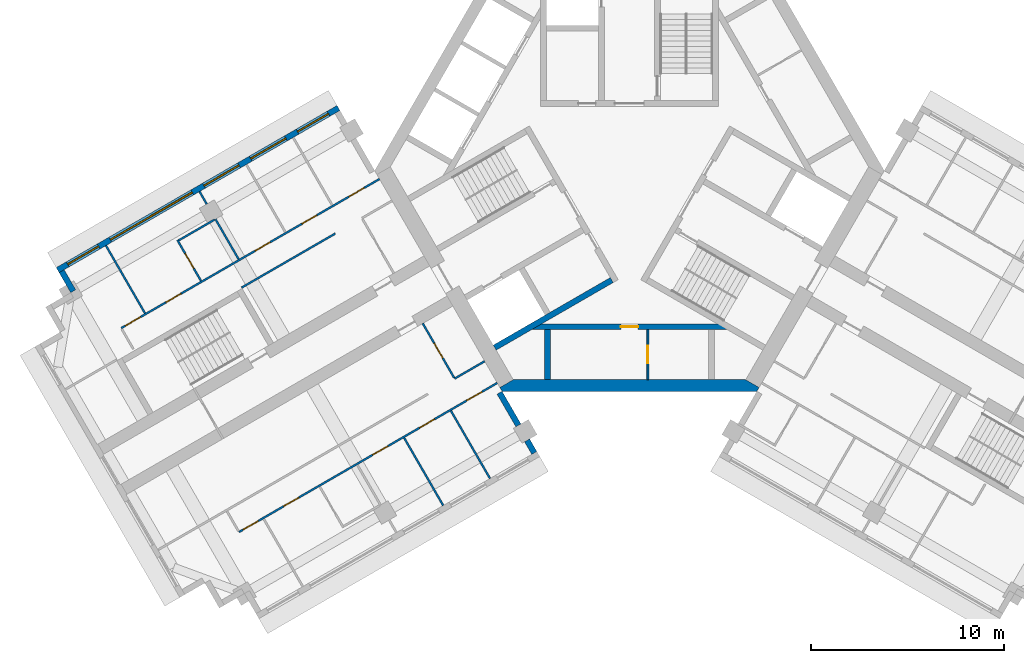
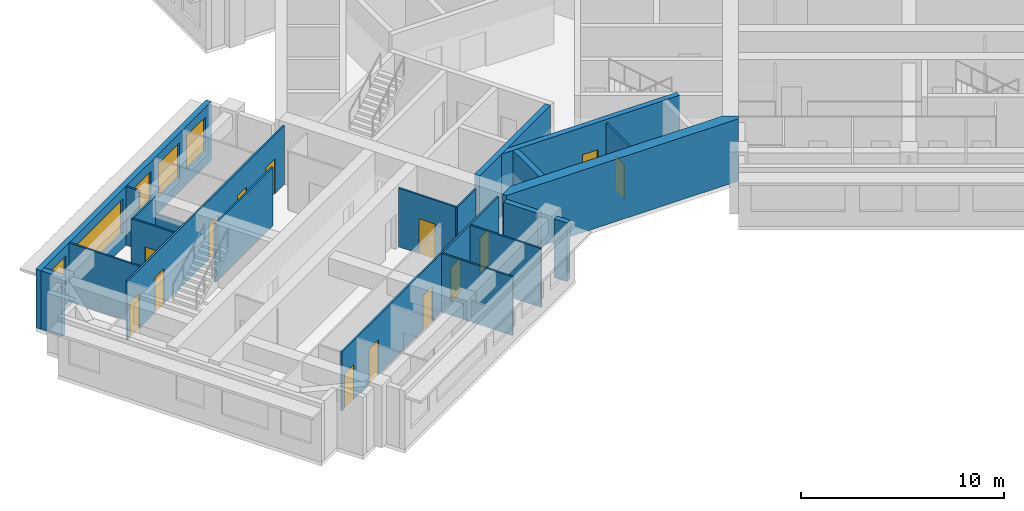
# One storey, part 3 of 10: 21 walls, 14 doors, 5 windows, 19 openings.
"""IFC4 building model written with IfcOpenShell, lengths in metres."""

from ifc_helpers import new_model, si_unit, direction, frame, frame_2d, origin, place, context, subcontext, project, spatial, polyline, rectangle, outline, extrude, material, layer, layer_set, type_object, element, fill, save


model = new_model("IFC4")

# Units and contexts
model_context = context("Model", 3, precision=1e-05, world=origin(), true_north=direction((0.0, 1.0)))
body_context = subcontext(model_context, "Body", "Model", "MODEL_VIEW")
ifc_project = project(units=[si_unit("LENGTHUNIT", "METRE"), si_unit("AREAUNIT", "SQUARE_METRE"), si_unit("VOLUMEUNIT", "CUBIC_METRE"), si_unit("PLANEANGLEUNIT", "RADIAN"), si_unit("MASSUNIT", "GRAM", prefix="KILO")], contexts=[model_context])

# Site, building, storey
site_placement = place(None, origin())
site = spatial("IfcSite", under=ifc_project, at=site_placement, CompositionType="ELEMENT")
building_placement = place(site_placement, origin())
building = spatial("IfcBuilding", under=site, at=building_placement, Name="Impinga Residences", CompositionType="ELEMENT")
storey_placement = place(building_placement, frame((0.0, 0.0, 271.0)))
storey = spatial("IfcBuildingStorey", under=building, at=storey_placement, Name="L68", CompositionType="ELEMENT", Elevation=271.0)

# Wall, opening, door
ifc_material_1 = material(Name="Concrete blockwork", Category="masonry")
ifc_layer_1 = layer(ifc_material_1, 0.10009765625)
ifc_layer_set_1 = layer_set([ifc_layer_1], Name="CP1 core room partition, blockwork 100")
wall_type_1 = type_object("IfcWallType", Name="CP1 core room partition, blockwork 100", PredefinedType="PARTITIONING", material=ifc_layer_set_1)
wall_1_placement = place(storey_placement, frame((0.949951171875, -8.2314453125, 0.0), z_axis=(0.0, 0.0, 1.0), x_axis=(0.0, -1.0, 0.0)))
wall_1 = element("IfcWall", 1, at=wall_1_placement, inside=storey, type_object=wall_type_1, Name="Core room partition, blockwork L68:CORE:low:ZP1", PredefinedType="PARTITIONING", context=body_context, shape_type="SweptSolid", body=[
    extrude(rectangle(XDim=2.60009765625, YDim=0.10009765625, at=frame_2d((1.300048828125, 0.0))), origin(), (0.0, 0.0, 1.0), 3.530029296875),
])
opening_1_placement = place(wall_1_placement, frame((0.85009765625, 0.0, 0.0)))
opening_1 = element("IfcOpeningElement", 2, at=opening_1_placement, cuts=wall_1, Name="Opening D6", PredefinedType="OPENING", context=body_context, shape_type="SweptSolid", body=[
    extrude(rectangle(XDim=0.89990234375, YDim=2.10009765625, at=frame_2d((0.449951171875, 1.050048828125))), frame((0.0, 0.06005859375, 0.0), z_axis=(0.0, -1.0, 0.0), x_axis=(1.0, 0.0, 0.0)), (0.0, 0.0, 1.0), 0.1201171875),
])
ifc_material_2 = material(Name="Timber door set", Category="wood")
door_type_1 = type_object("IfcDoorType", Name="D6 riser and store door 900x2100", OperationType="SINGLE_SWING_LEFT", PredefinedType="DOOR", material=ifc_material_2)
door_1_placement = place(opening_1_placement, origin())
door_1 = element("IfcDoor", 3, at=door_1_placement, inside=storey, type_object=door_type_1, Name="Cleaners' store door", OperationType="SINGLE_SWING_LEFT", OverallHeight=2.10009765625, OverallWidth=0.89990234375, PredefinedType="DOOR", context=body_context, shape_type="SweptSolid", body=[
    extrude(rectangle(XDim=0.89990234375, YDim=2.10009765625, at=frame_2d((0.449951171875, 1.050048828125))), frame((0.0, 0.02490234375, 0.0), z_axis=(0.0, -1.0, 0.0), x_axis=(1.0, 0.0, 0.0)), (0.0, 0.0, 1.0), 0.050048828125),
])
fill(opening_1, door_1)

# Wall
ifc_material_3 = material(Name="Terracotta rainscreen on blockwork", Category="masonry")
ifc_layer_2 = layer(ifc_material_3, 0.300048828125)
ifc_layer_set_2 = layer_set([ifc_layer_2], Name="EW1 external wall, terracotta rainscreen on blockwork 300")
wall_type_2 = type_object("IfcWallType", Name="EW1 external wall, terracotta rainscreen on blockwork 300", PredefinedType="SOLIDWALL", material=ifc_layer_set_2)
wall_2_placement = place(storey_placement, frame((-28.8193359375, -6.24658203125, 0.0), z_axis=(0.0, 0.0, 1.0), x_axis=(-0.500033551112, 0.866006032174, 0.0)))
element("IfcWall", 4, at=wall_2_placement, inside=storey, type_object=wall_type_2, Name="External wall EW1 L68", PredefinedType="SOLIDWALL", context=body_context, shape_type="SweptSolid", body=[
    extrude(rectangle(XDim=1.2001953125, YDim=0.300048828125, at=frame_2d((0.60009765625, 0.0))), origin(), (0.0, 0.0, 1.0), 3.530029296875),
])

# Wall, openings, windows
wall_3_placement = place(storey_placement, frame((-29.624267578125, -5.15234375, 0.0), z_axis=(0.0, 0.0, 1.0), x_axis=(0.86602925447, 0.499993330357, 0.0)))
wall_3 = element("IfcWall", 5, at=wall_3_placement, inside=storey, type_object=wall_type_2, Name="External wall EW1 L68", PredefinedType="SOLIDWALL", context=body_context, shape_type="SweptSolid", body=[
    extrude(rectangle(XDim=16.800048828125, YDim=0.300048828125, at=frame_2d((8.39990234375, 0.0))), origin(), (0.0, 0.0, 1.0), 3.530029296875),
])
opening_2_placement = place(wall_3_placement, frame((0.60009765625, 0.0, 0.89990234375)))
opening_2 = element("IfcOpeningElement", 6, at=opening_2_placement, cuts=wall_3, Name="Opening W15", PredefinedType="OPENING", context=body_context, shape_type="SweptSolid", body=[
    extrude(rectangle(XDim=1.85009765625, YDim=2.050048828125, at=frame_2d((0.925048828125, 1.02490234375))), frame((0.0, 0.159912109375, 0.0), z_axis=(0.0, -1.0, 0.0), x_axis=(1.0, 0.0, 0.0)), (0.0, 0.0, 1.0), 0.320068359375),
])
opening_3_placement = place(wall_3_placement, frame((3.14990234375, 0.0, 0.89990234375)))
opening_3 = element("IfcOpeningElement", 7, at=opening_3_placement, cuts=wall_3, Name="Opening W16", PredefinedType="OPENING", context=body_context, shape_type="SweptSolid", body=[
    extrude(rectangle(XDim=4.89990234375, YDim=2.050048828125, at=frame_2d((2.449951171875, 1.02490234375))), frame((0.0, 0.159912109375, 0.0), z_axis=(0.0, -1.0, 0.0), x_axis=(1.0, 0.0, 0.0)), (0.0, 0.0, 1.0), 0.320068359375),
])
opening_4_placement = place(wall_3_placement, frame((8.75, 0.0, 0.89990234375)))
opening_4 = element("IfcOpeningElement", 8, at=opening_4_placement, cuts=wall_3, Name="Opening W9", PredefinedType="OPENING", context=body_context, shape_type="SweptSolid", body=[
    extrude(rectangle(XDim=2.10009765625, YDim=2.050048828125, at=frame_2d((1.050048828125, 1.02490234375))), frame((0.0, 0.159912109375, 0.0), z_axis=(0.0, -1.0, 0.0), x_axis=(1.0, 0.0, 0.0)), (0.0, 0.0, 1.0), 0.320068359375),
])
opening_5_placement = place(wall_3_placement, frame((11.550048828125, 0.0, 0.89990234375)))
opening_5 = element("IfcOpeningElement", 9, at=opening_5_placement, cuts=wall_3, Name="Opening W9", PredefinedType="OPENING", context=body_context, shape_type="SweptSolid", body=[
    extrude(rectangle(XDim=2.10009765625, YDim=2.050048828125, at=frame_2d((1.050048828125, 1.02490234375))), frame((0.0, 0.159912109375, 0.0), z_axis=(0.0, -1.0, 0.0), x_axis=(1.0, 0.0, 0.0)), (0.0, 0.0, 1.0), 0.320068359375),
])
opening_6_placement = place(wall_3_placement, frame((14.35009765625, 0.0, 0.89990234375)))
opening_6 = element("IfcOpeningElement", 10, at=opening_6_placement, cuts=wall_3, Name="Opening W15", PredefinedType="OPENING", context=body_context, shape_type="SweptSolid", body=[
    extrude(rectangle(XDim=1.85009765625, YDim=2.050048828125, at=frame_2d((0.925048828125, 1.02490234375))), frame((0.0, 0.159912109375, 0.0), z_axis=(0.0, -1.0, 0.0), x_axis=(1.0, 0.0, 0.0)), (0.0, 0.0, 1.0), 0.320068359375),
])
ifc_material_4 = material(Name="Aluminium window, clear double glazing", Category="aluminium")
window_type_1 = type_object("IfcWindowType", Name="W15 ribbon window 1850x2050", PartitioningType="SINGLE_PANEL", PredefinedType="WINDOW", material=ifc_material_4)
window_1_placement = place(opening_2_placement, origin())
window_1 = element("IfcWindow", 11, at=window_1_placement, inside=storey, type_object=window_type_1, Name="Window L68", OverallHeight=2.050048828125, OverallWidth=1.85009765625, PartitioningType="SINGLE_PANEL", PredefinedType="WINDOW", context=body_context, shape_type="SweptSolid", body=[
    extrude(rectangle(XDim=1.85009765625, YDim=2.050048828125, at=frame_2d((0.925048828125, 1.02490234375))), frame((0.0, 0.030029296875, 0.0), z_axis=(0.0, -1.0, 0.0), x_axis=(1.0, 0.0, 0.0)), (0.0, 0.0, 1.0), 0.06005859375),
])
fill(opening_2, window_1)
window_2_placement = place(opening_6_placement, origin())
window_2 = element("IfcWindow", 12, at=window_2_placement, inside=storey, type_object=window_type_1, Name="Window L68", OverallHeight=2.050048828125, OverallWidth=1.85009765625, PartitioningType="SINGLE_PANEL", PredefinedType="WINDOW", context=body_context, shape_type="SweptSolid", body=[
    extrude(rectangle(XDim=1.85009765625, YDim=2.050048828125, at=frame_2d((0.925048828125, 1.02490234375))), frame((0.0, 0.030029296875, 0.0), z_axis=(0.0, -1.0, 0.0), x_axis=(1.0, 0.0, 0.0)), (0.0, 0.0, 1.0), 0.06005859375),
])
fill(opening_6, window_2)
window_type_2 = type_object("IfcWindowType", Name="W16 ribbon window 4900x2050", PartitioningType="SINGLE_PANEL", PredefinedType="WINDOW", material=ifc_material_4)
window_3_placement = place(opening_3_placement, origin())
window_3 = element("IfcWindow", 13, at=window_3_placement, inside=storey, type_object=window_type_2, Name="Window L68", OverallHeight=2.050048828125, OverallWidth=4.89990234375, PartitioningType="SINGLE_PANEL", PredefinedType="WINDOW", context=body_context, shape_type="SweptSolid", body=[
    extrude(rectangle(XDim=4.89990234375, YDim=2.050048828125, at=frame_2d((2.449951171875, 1.02490234375))), frame((0.0, 0.030029296875, 0.0), z_axis=(0.0, -1.0, 0.0), x_axis=(1.0, 0.0, 0.0)), (0.0, 0.0, 1.0), 0.06005859375),
])
fill(opening_3, window_3)
window_type_3 = type_object("IfcWindowType", Name="W9 ribbon window 2100x2050", PartitioningType="SINGLE_PANEL", PredefinedType="WINDOW", material=ifc_material_4)
window_4_placement = place(opening_4_placement, origin())
window_4 = element("IfcWindow", 14, at=window_4_placement, inside=storey, type_object=window_type_3, Name="Window L68", OverallHeight=2.050048828125, OverallWidth=2.10009765625, PartitioningType="SINGLE_PANEL", PredefinedType="WINDOW", context=body_context, shape_type="SweptSolid", body=[
    extrude(rectangle(XDim=2.10009765625, YDim=2.050048828125, at=frame_2d((1.050048828125, 1.02490234375))), frame((0.0, 0.030029296875, 0.0), z_axis=(0.0, -1.0, 0.0), x_axis=(1.0, 0.0, 0.0)), (0.0, 0.0, 1.0), 0.06005859375),
])
fill(opening_4, window_4)
window_5_placement = place(opening_5_placement, origin())
window_5 = element("IfcWindow", 15, at=window_5_placement, inside=storey, type_object=window_type_3, Name="Window L68", OverallHeight=2.050048828125, OverallWidth=2.10009765625, PartitioningType="SINGLE_PANEL", PredefinedType="WINDOW", context=body_context, shape_type="SweptSolid", body=[
    extrude(rectangle(XDim=2.10009765625, YDim=2.050048828125, at=frame_2d((1.050048828125, 1.02490234375))), frame((0.0, 0.030029296875, 0.0), z_axis=(0.0, -1.0, 0.0), x_axis=(1.0, 0.0, 0.0)), (0.0, 0.0, 1.0), 0.06005859375),
])
fill(opening_5, window_5)

# Walls
wall_4_placement = place(storey_placement, frame((-6.72998046875, -11.506591796875, 0.0), z_axis=(0.0, 0.0, 1.0), x_axis=(0.500043961785, -0.866000020948, 0.0)))
element("IfcWall", 16, at=wall_4_placement, inside=storey, type_object=wall_type_2, Name="External wall EW1 L68", PredefinedType="SOLIDWALL", context=body_context, shape_type="SweptSolid", body=[
    extrude(rectangle(XDim=1.949951171875, YDim=0.300048828125, at=frame_2d((0.97509765625, 0.0))), origin(), (0.0, 0.0, 1.0), 3.530029296875),
])
wall_5_placement = place(storey_placement, frame((-5.304931640625, -13.974609375, 0.0), z_axis=(0.0, 0.0, 1.0), x_axis=(0.499919672301, -0.866071776036, 0.0)))
element("IfcWall", 17, at=wall_5_placement, inside=storey, type_object=wall_type_2, Name="External wall EW1 L68", PredefinedType="SOLIDWALL", context=body_context, shape_type="SweptSolid", body=[
    extrude(rectangle(XDim=0.75, YDim=0.300048828125, at=frame_2d((0.375, 0.0))), origin(), (0.0, 0.0, 1.0), 3.530029296875),
])
ifc_material_5 = material(Name="Gypsum board on steel studs", Category="steel")
ifc_layer_3 = layer(ifc_material_5, 0.10009765625)
ifc_layer_set_3 = layer_set([ifc_layer_3], Name="Gypsum board on steel studs")
wall_type_3 = type_object("IfcWallType", Name="IP1 partition 100", PredefinedType="PARTITIONING", material=ifc_layer_set_3)
wall_6_placement = place(storey_placement, frame((-7.5, -9.872802734375, 0.0), z_axis=(0.0, 0.0, 1.0), x_axis=(-0.866047807691, -0.499961193289, 0.0)))
element("IfcWall", 18, at=wall_6_placement, inside=storey, type_object=wall_type_3, Name="Partition L68-WA1:DIV0", PredefinedType="PARTITIONING", context=body_context, shape_type="SweptSolid", body=[
    extrude(rectangle(XDim=1.800048828125, YDim=0.10009765625, at=frame_2d((0.89990234375, 0.0))), origin(), (0.0, 0.0, 1.0), 3.530029296875),
])

# Wall, openings, doors
wall_7_placement = place(storey_placement, frame((-6.85009765625, -10.99853515625, 0.0), z_axis=(0.0, 0.0, 1.0), x_axis=(-0.866019273868, -0.500010617176, 0.0)))
wall_7 = element("IfcWall", 19, at=wall_7_placement, inside=storey, type_object=wall_type_3, Name="Partition L68-WA1:STRIP", PredefinedType="PARTITIONING", context=body_context, shape_type="SweptSolid", body=[
    extrude(rectangle(XDim=15.449951171875, YDim=0.10009765625, at=frame_2d((7.72509765625, 0.0))), origin(), (0.0, 0.0, 1.0), 3.530029296875),
])
opening_7_placement = place(wall_7_placement, frame((0.925048828125, 0.0, 0.0)))
opening_7 = element("IfcOpeningElement", 20, at=opening_7_placement, cuts=wall_7, Name="Opening D2", PredefinedType="OPENING", context=body_context, shape_type="SweptSolid", body=[
    extrude(rectangle(XDim=0.89990234375, YDim=2.10009765625, at=frame_2d((0.449951171875, 1.050048828125))), frame((0.0, 0.06005859375, 0.0), z_axis=(0.0, -1.0, 0.0), x_axis=(1.0, 0.0, 0.0)), (0.0, 0.0, 1.0), 0.1201171875),
])
opening_8_placement = place(wall_7_placement, frame((3.75, 0.0, 0.0)))
opening_8 = element("IfcOpeningElement", 21, at=opening_8_placement, cuts=wall_7, Name="Opening D2", PredefinedType="OPENING", context=body_context, shape_type="SweptSolid", body=[
    extrude(rectangle(XDim=0.89990234375, YDim=2.10009765625, at=frame_2d((0.449951171875, 1.050048828125))), frame((0.0, 0.06005859375, 0.0), z_axis=(0.0, -1.0, 0.0), x_axis=(1.0, 0.0, 0.0)), (0.0, 0.0, 1.0), 0.1201171875),
])
opening_9_placement = place(wall_7_placement, frame((6.550048828125, 0.0, 0.0)))
opening_9 = element("IfcOpeningElement", 22, at=opening_9_placement, cuts=wall_7, Name="Opening D2", PredefinedType="OPENING", context=body_context, shape_type="SweptSolid", body=[
    extrude(rectangle(XDim=0.89990234375, YDim=2.10009765625, at=frame_2d((0.449951171875, 1.050048828125))), frame((0.0, 0.06005859375, 0.0), z_axis=(0.0, -1.0, 0.0), x_axis=(1.0, 0.0, 0.0)), (0.0, 0.0, 1.0), 0.1201171875),
])
opening_10_placement = place(wall_7_placement, frame((11.875, 0.0, 0.0)))
opening_10 = element("IfcOpeningElement", 23, at=opening_10_placement, cuts=wall_7, Name="Opening D2", PredefinedType="OPENING", context=body_context, shape_type="SweptSolid", body=[
    extrude(rectangle(XDim=0.89990234375, YDim=2.10009765625, at=frame_2d((0.449951171875, 1.050048828125))), frame((0.0, 0.06005859375, 0.0), z_axis=(0.0, -1.0, 0.0), x_axis=(1.0, 0.0, 0.0)), (0.0, 0.0, 1.0), 0.1201171875),
])
opening_11_placement = place(wall_7_placement, frame((14.300048828125, 0.0, 0.0)))
opening_11 = element("IfcOpeningElement", 24, at=opening_11_placement, cuts=wall_7, Name="Opening D2", PredefinedType="OPENING", context=body_context, shape_type="SweptSolid", body=[
    extrude(rectangle(XDim=0.89990234375, YDim=2.10009765625, at=frame_2d((0.449951171875, 1.050048828125))), frame((0.0, 0.06005859375, 0.0), z_axis=(0.0, -1.0, 0.0), x_axis=(1.0, 0.0, 0.0)), (0.0, 0.0, 1.0), 0.1201171875),
])
door_type_2 = type_object("IfcDoorType", Name="D2 internal door 900x2100", OperationType="SINGLE_SWING_LEFT", PredefinedType="DOOR", material=ifc_material_2)
door_2_placement = place(opening_7_placement, origin())
door_2 = element("IfcDoor", 25, at=door_2_placement, inside=storey, type_object=door_type_2, Name="Apartment L68-WA1 room door", OperationType="SINGLE_SWING_LEFT", OverallHeight=2.10009765625, OverallWidth=0.89990234375, PredefinedType="DOOR", context=body_context, shape_type="SweptSolid", body=[
    extrude(rectangle(XDim=0.89990234375, YDim=2.10009765625, at=frame_2d((0.449951171875, 1.050048828125))), frame((0.0, 0.02490234375, 0.0), z_axis=(0.0, -1.0, 0.0), x_axis=(1.0, 0.0, 0.0)), (0.0, 0.0, 1.0), 0.050048828125),
])
fill(opening_7, door_2)
door_3_placement = place(opening_8_placement, origin())
door_3 = element("IfcDoor", 26, at=door_3_placement, inside=storey, type_object=door_type_2, Name="Apartment L68-WA1 room door", OperationType="SINGLE_SWING_LEFT", OverallHeight=2.10009765625, OverallWidth=0.89990234375, PredefinedType="DOOR", context=body_context, shape_type="SweptSolid", body=[
    extrude(rectangle(XDim=0.89990234375, YDim=2.10009765625, at=frame_2d((0.449951171875, 1.050048828125))), frame((0.0, 0.02490234375, 0.0), z_axis=(0.0, -1.0, 0.0), x_axis=(1.0, 0.0, 0.0)), (0.0, 0.0, 1.0), 0.050048828125),
])
fill(opening_8, door_3)
door_4_placement = place(opening_9_placement, origin())
door_4 = element("IfcDoor", 27, at=door_4_placement, inside=storey, type_object=door_type_2, Name="Apartment L68-WA1 room door", OperationType="SINGLE_SWING_LEFT", OverallHeight=2.10009765625, OverallWidth=0.89990234375, PredefinedType="DOOR", context=body_context, shape_type="SweptSolid", body=[
    extrude(rectangle(XDim=0.89990234375, YDim=2.10009765625, at=frame_2d((0.449951171875, 1.050048828125))), frame((0.0, 0.02490234375, 0.0), z_axis=(0.0, -1.0, 0.0), x_axis=(1.0, 0.0, 0.0)), (0.0, 0.0, 1.0), 0.050048828125),
])
fill(opening_9, door_4)
door_5_placement = place(opening_10_placement, origin())
door_5 = element("IfcDoor", 28, at=door_5_placement, inside=storey, type_object=door_type_2, Name="Apartment L68-WA1 room door", OperationType="SINGLE_SWING_RIGHT", OverallHeight=2.10009765625, OverallWidth=0.89990234375, PredefinedType="DOOR", context=body_context, shape_type="SweptSolid", body=[
    extrude(rectangle(XDim=0.89990234375, YDim=2.10009765625, at=frame_2d((0.449951171875, 1.050048828125))), frame((0.0, 0.02490234375, 0.0), z_axis=(0.0, -1.0, 0.0), x_axis=(1.0, 0.0, 0.0)), (0.0, 0.0, 1.0), 0.050048828125),
])
fill(opening_10, door_5)
door_6_placement = place(opening_11_placement, origin())
door_6 = element("IfcDoor", 29, at=door_6_placement, inside=storey, type_object=door_type_2, Name="Apartment L68-WA1 room door", OperationType="SINGLE_SWING_RIGHT", OverallHeight=2.10009765625, OverallWidth=0.89990234375, PredefinedType="DOOR", context=body_context, shape_type="SweptSolid", body=[
    extrude(rectangle(XDim=0.89990234375, YDim=2.10009765625, at=frame_2d((0.449951171875, 1.050048828125))), frame((0.0, 0.02490234375, 0.0), z_axis=(0.0, -1.0, 0.0), x_axis=(1.0, 0.0, 0.0)), (0.0, 0.0, 1.0), 0.050048828125),
])
fill(opening_11, door_6)

# Wall, opening, door
wall_8_placement = place(storey_placement, frame((-10.708740234375, -7.914794921875, 0.0), z_axis=(0.0, 0.0, 1.0), x_axis=(0.499984717929, -0.866034226713, 0.0)))
wall_8 = element("IfcWall", 30, at=wall_8_placement, inside=storey, type_object=wall_type_3, Name="Partition L68-WA1:IB1", PredefinedType="PARTITIONING", context=body_context, shape_type="SweptSolid", body=[
    extrude(rectangle(XDim=3.25, YDim=0.10009765625, at=frame_2d((1.625, 0.0))), origin(), (0.0, 0.0, 1.0), 3.530029296875),
])
opening_12_placement = place(wall_8_placement, frame((1.175048828125, 0.0, 0.0)))
opening_12 = element("IfcOpeningElement", 31, at=opening_12_placement, cuts=wall_8, Name="Opening D2", PredefinedType="OPENING", context=body_context, shape_type="SweptSolid", body=[
    extrude(rectangle(XDim=0.89990234375, YDim=2.10009765625, at=frame_2d((0.449951171875, 1.050048828125))), frame((0.0, 0.06005859375, 0.0), z_axis=(0.0, -1.0, 0.0), x_axis=(1.0, 0.0, 0.0)), (0.0, 0.0, 1.0), 0.1201171875),
])
door_7_placement = place(opening_12_placement, origin())
door_7 = element("IfcDoor", 32, at=door_7_placement, inside=storey, type_object=door_type_2, Name="Apartment L68-WA1 bathroom door", OperationType="SINGLE_SWING_LEFT", OverallHeight=2.10009765625, OverallWidth=0.89990234375, PredefinedType="DOOR", context=body_context, shape_type="SweptSolid", body=[
    extrude(rectangle(XDim=0.89990234375, YDim=2.10009765625, at=frame_2d((0.449951171875, 1.050048828125))), frame((0.0, 0.02490234375, 0.0), z_axis=(0.0, -1.0, 0.0), x_axis=(1.0, 0.0, 0.0)), (0.0, 0.0, 1.0), 0.050048828125),
])
fill(opening_12, door_7)

# Walls
wall_9_placement = place(storey_placement, frame((-9.249755859375, -12.44189453125, 0.0), z_axis=(0.0, 0.0, 1.0), x_axis=(0.499990325971, -0.866030989016, 0.0)))
element("IfcWall", 33, at=wall_9_placement, inside=storey, type_object=wall_type_3, Name="Partition L68-WA1:OB1", PredefinedType="PARTITIONING", context=body_context, shape_type="SweptSolid", body=[
    extrude(rectangle(XDim=4.0498046875, YDim=0.10009765625, at=frame_2d((2.02490234375, 0.0))), origin(), (0.0, 0.0, 1.0), 3.530029296875),
])
wall_10_placement = place(storey_placement, frame((-11.6748046875, -13.841796875, 0.0), z_axis=(0.0, 0.0, 1.0), x_axis=(0.500035537042, -0.866004885491, 0.0)))
element("IfcWall", 34, at=wall_10_placement, inside=storey, type_object=wall_type_3, Name="Partition L68-WA1:OB2", PredefinedType="PARTITIONING", context=body_context, shape_type="SweptSolid", body=[
    extrude(rectangle(XDim=4.050048828125, YDim=0.10009765625, at=frame_2d((2.02490234375, 0.0))), origin(), (0.0, 0.0, 1.0), 3.530029296875),
])
wall_11_placement = place(storey_placement, frame((-15.244384765625, -3.2587890625, 0.0), z_axis=(0.0, 0.0, 1.0), x_axis=(-0.866026594901, -0.49999793692, 0.0)))
element("IfcWall", 35, at=wall_11_placement, inside=storey, type_object=wall_type_3, Name="Partition L68-WF1:DIV1", PredefinedType="PARTITIONING", context=body_context, shape_type="SweptSolid", body=[
    extrude(rectangle(XDim=5.60009765625, YDim=0.10009765625, at=frame_2d((2.800048828125, 0.0))), origin(), (0.0, 0.0, 1.0), 3.530029296875),
])

# Wall, openings, doors
wall_12_placement = place(storey_placement, frame((-12.949951171875, -0.43310546875, 0.0), z_axis=(0.0, 0.0, 1.0), x_axis=(-0.866030066916, -0.499991923133, 0.0)))
wall_12 = element("IfcWall", 36, at=wall_12_placement, inside=storey, type_object=wall_type_3, Name="Partition L68-WF1:STRIP", PredefinedType="PARTITIONING", context=body_context, shape_type="SweptSolid", body=[
    extrude(rectangle(XDim=15.449951171875, YDim=0.10009765625, at=frame_2d((7.72509765625, 0.0))), origin(), (0.0, 0.0, 1.0), 3.530029296875),
])
opening_13_placement = place(wall_12_placement, frame((0.925048828125, 0.0, 0.0)))
opening_13 = element("IfcOpeningElement", 37, at=opening_13_placement, cuts=wall_12, Name="Opening D2", PredefinedType="OPENING", context=body_context, shape_type="SweptSolid", body=[
    extrude(rectangle(XDim=0.89990234375, YDim=2.10009765625, at=frame_2d((0.449951171875, 1.050048828125))), frame((0.0, 0.06005859375, 0.0), z_axis=(0.0, -1.0, 0.0), x_axis=(1.0, 0.0, 0.0)), (0.0, 0.0, 1.0), 0.1201171875),
])
opening_14_placement = place(wall_12_placement, frame((3.75, 0.0, 0.0)))
opening_14 = element("IfcOpeningElement", 38, at=opening_14_placement, cuts=wall_12, Name="Opening D2", PredefinedType="OPENING", context=body_context, shape_type="SweptSolid", body=[
    extrude(rectangle(XDim=0.89990234375, YDim=2.10009765625, at=frame_2d((0.449951171875, 1.050048828125))), frame((0.0, 0.06005859375, 0.0), z_axis=(0.0, -1.0, 0.0), x_axis=(1.0, 0.0, 0.0)), (0.0, 0.0, 1.0), 0.1201171875),
])
opening_15_placement = place(wall_12_placement, frame((6.550048828125, 0.0, 0.0)))
opening_15 = element("IfcOpeningElement", 39, at=opening_15_placement, cuts=wall_12, Name="Opening D2", PredefinedType="OPENING", context=body_context, shape_type="SweptSolid", body=[
    extrude(rectangle(XDim=0.89990234375, YDim=2.10009765625, at=frame_2d((0.449951171875, 1.050048828125))), frame((0.0, 0.06005859375, 0.0), z_axis=(0.0, -1.0, 0.0), x_axis=(1.0, 0.0, 0.0)), (0.0, 0.0, 1.0), 0.1201171875),
])
opening_16_placement = place(wall_12_placement, frame((11.875, 0.0, 0.0)))
opening_16 = element("IfcOpeningElement", 40, at=opening_16_placement, cuts=wall_12, Name="Opening D2", PredefinedType="OPENING", context=body_context, shape_type="SweptSolid", body=[
    extrude(rectangle(XDim=0.89990234375, YDim=2.10009765625, at=frame_2d((0.449951171875, 1.050048828125))), frame((0.0, 0.06005859375, 0.0), z_axis=(0.0, -1.0, 0.0), x_axis=(1.0, 0.0, 0.0)), (0.0, 0.0, 1.0), 0.1201171875),
])
opening_17_placement = place(wall_12_placement, frame((14.300048828125, 0.0, 0.0)))
opening_17 = element("IfcOpeningElement", 41, at=opening_17_placement, cuts=wall_12, Name="Opening D2", PredefinedType="OPENING", context=body_context, shape_type="SweptSolid", body=[
    extrude(rectangle(XDim=0.89990234375, YDim=2.10009765625, at=frame_2d((0.449951171875, 1.050048828125))), frame((0.0, 0.06005859375, 0.0), z_axis=(0.0, -1.0, 0.0), x_axis=(1.0, 0.0, 0.0)), (0.0, 0.0, 1.0), 0.1201171875),
])
door_8_placement = place(opening_13_placement, origin())
door_8 = element("IfcDoor", 42, at=door_8_placement, inside=storey, type_object=door_type_2, Name="Apartment L68-WF1 room door", OperationType="SINGLE_SWING_LEFT", OverallHeight=2.10009765625, OverallWidth=0.89990234375, PredefinedType="DOOR", context=body_context, shape_type="SweptSolid", body=[
    extrude(rectangle(XDim=0.89990234375, YDim=2.10009765625, at=frame_2d((0.449951171875, 1.050048828125))), frame((0.0, 0.02490234375, 0.0), z_axis=(0.0, -1.0, 0.0), x_axis=(1.0, 0.0, 0.0)), (0.0, 0.0, 1.0), 0.050048828125),
])
fill(opening_13, door_8)
door_9_placement = place(opening_14_placement, origin())
door_9 = element("IfcDoor", 43, at=door_9_placement, inside=storey, type_object=door_type_2, Name="Apartment L68-WF1 room door", OperationType="SINGLE_SWING_LEFT", OverallHeight=2.10009765625, OverallWidth=0.89990234375, PredefinedType="DOOR", context=body_context, shape_type="SweptSolid", body=[
    extrude(rectangle(XDim=0.89990234375, YDim=2.10009765625, at=frame_2d((0.449951171875, 1.050048828125))), frame((0.0, 0.02490234375, 0.0), z_axis=(0.0, -1.0, 0.0), x_axis=(1.0, 0.0, 0.0)), (0.0, 0.0, 1.0), 0.050048828125),
])
fill(opening_14, door_9)
door_10_placement = place(opening_15_placement, origin())
door_10 = element("IfcDoor", 44, at=door_10_placement, inside=storey, type_object=door_type_2, Name="Apartment L68-WF1 room door", OperationType="SINGLE_SWING_LEFT", OverallHeight=2.10009765625, OverallWidth=0.89990234375, PredefinedType="DOOR", context=body_context, shape_type="SweptSolid", body=[
    extrude(rectangle(XDim=0.89990234375, YDim=2.10009765625, at=frame_2d((0.449951171875, 1.050048828125))), frame((0.0, 0.02490234375, 0.0), z_axis=(0.0, -1.0, 0.0), x_axis=(1.0, 0.0, 0.0)), (0.0, 0.0, 1.0), 0.050048828125),
])
fill(opening_15, door_10)
door_11_placement = place(opening_16_placement, origin())
door_11 = element("IfcDoor", 45, at=door_11_placement, inside=storey, type_object=door_type_2, Name="Apartment L68-WF1 room door", OperationType="SINGLE_SWING_RIGHT", OverallHeight=2.10009765625, OverallWidth=0.89990234375, PredefinedType="DOOR", context=body_context, shape_type="SweptSolid", body=[
    extrude(rectangle(XDim=0.89990234375, YDim=2.10009765625, at=frame_2d((0.449951171875, 1.050048828125))), frame((0.0, 0.02490234375, 0.0), z_axis=(0.0, -1.0, 0.0), x_axis=(1.0, 0.0, 0.0)), (0.0, 0.0, 1.0), 0.050048828125),
])
fill(opening_16, door_11)
door_12_placement = place(opening_17_placement, origin())
door_12 = element("IfcDoor", 46, at=door_12_placement, inside=storey, type_object=door_type_2, Name="Apartment L68-WF1 room door", OperationType="SINGLE_SWING_RIGHT", OverallHeight=2.10009765625, OverallWidth=0.89990234375, PredefinedType="DOOR", context=body_context, shape_type="SweptSolid", body=[
    extrude(rectangle(XDim=0.89990234375, YDim=2.10009765625, at=frame_2d((0.449951171875, 1.050048828125))), frame((0.0, 0.02490234375, 0.0), z_axis=(0.0, -1.0, 0.0), x_axis=(1.0, 0.0, 0.0)), (0.0, 0.0, 1.0), 0.050048828125),
])
fill(opening_17, door_12)

# Walls
wall_13_placement = place(storey_placement, frame((-20.24951171875, -4.589599609375, 0.0), z_axis=(0.0, 0.0, 1.0), x_axis=(-0.500077600433, 0.865980596518, 0.0)))
element("IfcWall", 47, at=wall_13_placement, inside=storey, type_object=wall_type_3, Name="Partition L68-WF1:OB3", PredefinedType="PARTITIONING", context=body_context, shape_type="SweptSolid", body=[
    extrude(rectangle(XDim=2.39990234375, YDim=0.10009765625, at=frame_2d((1.199951171875, 0.0))), origin(), (0.0, 0.0, 1.0), 2.47998046875),
])
wall_14_placement = place(storey_placement, frame((-21.899658203125, -1.73193359375, 0.0), z_axis=(0.0, 0.0, 1.0), x_axis=(-0.499919672301, 0.866071776036, 0.0)))
element("IfcWall", 48, at=wall_14_placement, inside=storey, type_object=wall_type_3, Name="Partition L68-WF1:OB3b", PredefinedType="PARTITIONING", context=body_context, shape_type="SweptSolid", body=[
    extrude(rectangle(XDim=0.75, YDim=0.10009765625, at=frame_2d((0.375, 0.0))), origin(), (0.0, 0.0, 1.0), 3.530029296875),
])
wall_15_placement = place(storey_placement, frame((-25.099365234375, -7.3896484375, 0.0), z_axis=(0.0, 0.0, 1.0), x_axis=(-0.499990325971, 0.866030989016, 0.0)))
element("IfcWall", 49, at=wall_15_placement, inside=storey, type_object=wall_type_3, Name="Partition L68-WF1:OB4", PredefinedType="PARTITIONING", context=body_context, shape_type="SweptSolid", body=[
    extrude(rectangle(XDim=4.0498046875, YDim=0.10009765625, at=frame_2d((2.02490234375, 0.0))), origin(), (0.0, 0.0, 1.0), 3.530029296875),
])

# Wall, opening, door
wall_16_placement = place(storey_placement, frame((-22.1982421875, -5.714599609375, 0.0), z_axis=(0.0, 0.0, 1.0), x_axis=(-0.499987006516, 0.866032905446, 0.0)))
wall_16 = element("IfcWall", 50, at=wall_16_placement, inside=storey, type_object=wall_type_3, Name="Partition L68-WF1:EN1", PredefinedType="PARTITIONING", context=body_context, shape_type="SweptSolid", body=[
    extrude(rectangle(XDim=2.44970703125, YDim=0.10009765625, at=frame_2d((1.224853515625, 0.0))), origin(), (0.0, 0.0, 1.0), 3.530029296875),
])
opening_18_placement = place(wall_16_placement, frame((0.75, 0.0, 0.0)))
opening_18 = element("IfcOpeningElement", 51, at=opening_18_placement, cuts=wall_16, Name="Opening D2", PredefinedType="OPENING", context=body_context, shape_type="SweptSolid", body=[
    extrude(rectangle(XDim=0.89990234375, YDim=2.10009765625, at=frame_2d((0.449951171875, 1.050048828125))), frame((0.0, 0.06005859375, 0.0), z_axis=(0.0, -1.0, 0.0), x_axis=(1.0, 0.0, 0.0)), (0.0, 0.0, 1.0), 0.1201171875),
])
door_13_placement = place(opening_18_placement, origin())
door_13 = element("IfcDoor", 52, at=door_13_placement, inside=storey, type_object=door_type_2, Name="Apartment L68-WF1 en-suite door", OperationType="SINGLE_SWING_LEFT", OverallHeight=2.10009765625, OverallWidth=0.89990234375, PredefinedType="DOOR", context=body_context, shape_type="SweptSolid", body=[
    extrude(rectangle(XDim=0.89990234375, YDim=2.10009765625, at=frame_2d((0.449951171875, 1.050048828125))), frame((0.0, 0.02490234375, 0.0), z_axis=(0.0, -1.0, 0.0), x_axis=(1.0, 0.0, 0.0)), (0.0, 0.0, 1.0), 0.050048828125),
])
fill(opening_18, door_13)

# Walls
wall_17_placement = place(storey_placement, frame((-21.492919921875, -2.5361328125, 0.0), z_axis=(0.0, 0.0, 1.0), x_axis=(-0.865998386012, -0.500046793234, 0.0)))
element("IfcWall", 53, at=wall_17_placement, inside=storey, type_object=wall_type_3, Name="Partition L68-WF1:EN2", PredefinedType="PARTITIONING", context=body_context, shape_type="SweptSolid", body=[
    extrude(rectangle(XDim=2.150146484375, YDim=0.10009765625, at=frame_2d((1.0751953125, 0.0))), origin(), (0.0, 0.0, 1.0), 3.530029296875),
])
ifc_material_6 = material(Name="Concrete C60/75", Category="concrete")
ifc_layer_4 = layer(ifc_material_6, 0.60009765625)
ifc_layer_set_4 = layer_set([ifc_layer_4], Name="Concrete C60/75")
wall_type_4 = type_object("IfcWallType", Name="SW4 core wall, crown 600", PredefinedType="SHEAR", material=ifc_layer_set_4)
wall_18_placement = place(storey_placement, origin())
element("IfcWall", 54, at=wall_18_placement, inside=storey, type_object=wall_type_4, Name="Core wall SW4 N:EXPOSED L68", PredefinedType="SHEAR", context=body_context, shape_type="SweptSolid", body=[
    extrude(outline(polyline([(-6.60009765625, -11.431640625), (6.60009765625, -11.431640625), (6.715576171875, -11.2314453125), (6.022705078125, -10.83154296875), (-6.022705078125, -10.83154296875), (-6.715576171875, -11.2314453125), (-6.60009765625, -11.431640625)])), origin(), (0.0, 0.0, 1.0), 3.75),
])
ifc_material_7 = material(Name="Concrete C70/85", Category="concrete")
ifc_layer_5 = layer(ifc_material_7, 0.300048828125)
ifc_layer_set_5 = layer_set([ifc_layer_5], Name="Concrete C70/85")
wall_type_5 = type_object("IfcWallType", Name="SW5 core inner wall, stairs, shafts and lobbies 300", PredefinedType="SHEAR", material=ifc_layer_set_5)
wall_19_placement = place(storey_placement, frame((-0.918701171875, -5.668701171875, 0.0), z_axis=(0.0, 0.0, 1.0), x_axis=(-0.866011380966, -0.500024287448, 0.0)))
element("IfcWall", 55, at=wall_19_placement, inside=storey, type_object=wall_type_5, Name="Core wall SW5 W:FF-OUT L68", PredefinedType="SHEAR", context=body_context, shape_type="SweptSolid", body=[
    extrude(rectangle(XDim=7.001708984375, YDim=0.300048828125, at=frame_2d((3.5009765625, 0.0))), origin(), (0.0, 0.0, 1.0), 3.75),
])

# Wall, opening, door
wall_20_placement = place(storey_placement, frame((5.09765625, -8.08154296875, 0.0), z_axis=(0.0, 0.0, 1.0), x_axis=(-1.0, 0.0, 0.0)))
wall_20 = element("IfcWall", 56, at=wall_20_placement, inside=storey, type_object=wall_type_5, Name="Core wall SW5 N:BANK-FRONT L68", PredefinedType="SHEAR", context=body_context, shape_type="SweptSolid", body=[
    extrude(rectangle(XDim=10.1953125, YDim=0.300048828125, at=frame_2d((5.09765625, 0.0))), origin(), (0.0, 0.0, 1.0), 3.75),
])
opening_19_placement = place(wall_20_placement, frame((4.647705078125, 0.0, 0.0)))
opening_19 = element("IfcOpeningElement", 57, at=opening_19_placement, cuts=wall_20, Name="Opening D6", PredefinedType="OPENING", context=body_context, shape_type="SweptSolid", body=[
    extrude(rectangle(XDim=0.89990234375, YDim=2.10009765625, at=frame_2d((0.449951171875, 1.050048828125))), frame((0.0, 0.159912109375, 0.0), z_axis=(0.0, -1.0, 0.0), x_axis=(1.0, 0.0, 0.0)), (0.0, 0.0, 1.0), 0.320068359375),
])
door_14_placement = place(opening_19_placement, origin())
door_14 = element("IfcDoor", 58, at=door_14_placement, inside=storey, type_object=door_type_1, Name="Vending and ice room door", OperationType="SINGLE_SWING_LEFT", OverallHeight=2.10009765625, OverallWidth=0.89990234375, PredefinedType="DOOR", context=body_context, shape_type="SweptSolid", body=[
    extrude(rectangle(XDim=0.89990234375, YDim=2.10009765625, at=frame_2d((0.449951171875, 1.050048828125))), frame((0.0, 0.02490234375, 0.0), z_axis=(0.0, -1.0, 0.0), x_axis=(1.0, 0.0, 0.0)), (0.0, 0.0, 1.0), 0.050048828125),
])
fill(opening_19, door_14)

# Wall
wall_21_placement = place(storey_placement, frame((-4.25, -8.2314453125, 0.0), z_axis=(0.0, 0.0, 1.0), x_axis=(0.0, -1.0, 0.0)))
element("IfcWall", 59, at=wall_21_placement, inside=storey, type_object=wall_type_5, Name="Core wall SW5 N:BANK-R L68", PredefinedType="SHEAR", context=body_context, shape_type="SweptSolid", body=[
    extrude(rectangle(XDim=2.60009765625, YDim=0.300048828125, at=frame_2d((1.300048828125, 0.0))), origin(), (0.0, 0.0, 1.0), 3.75),
])

save(model, "model.ifc")
